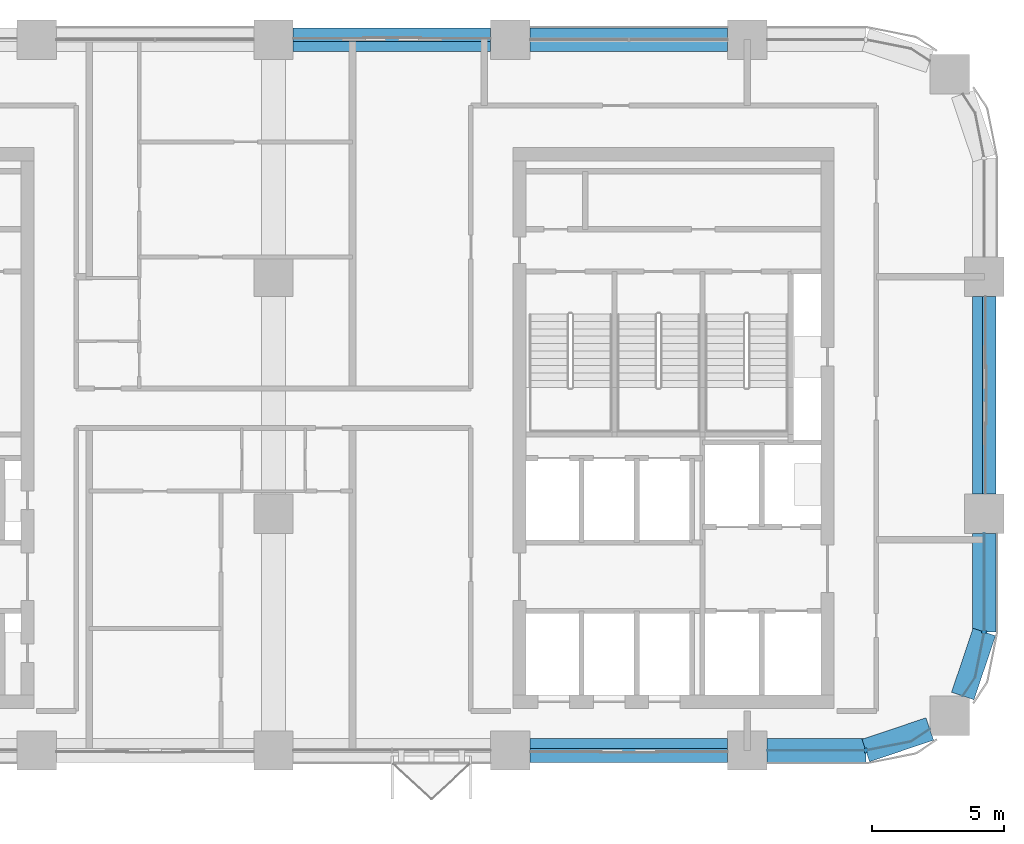
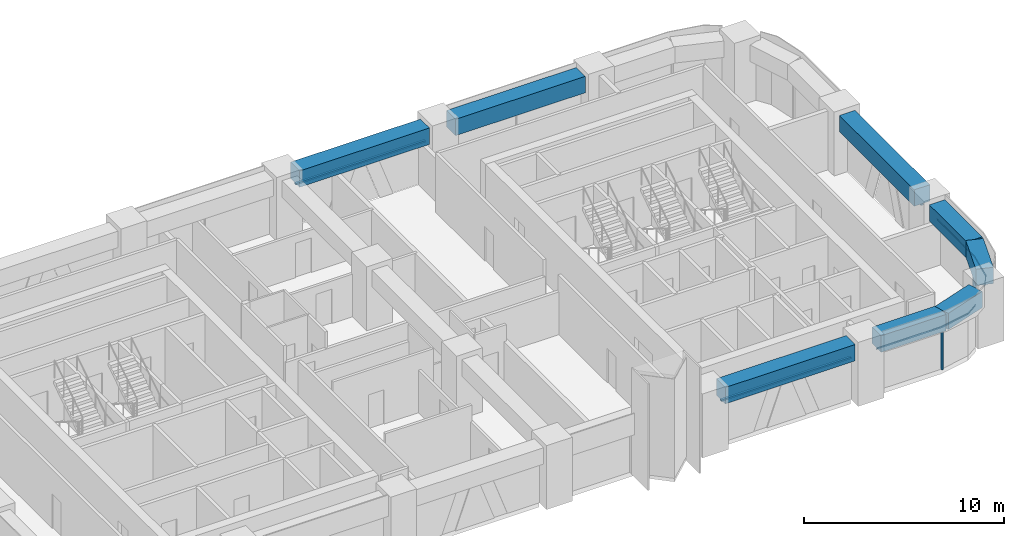
# One storey, part 5 of 14: 8 beams, 7 members, 5 elements without a shape of their own.
"""IFC4 building model written with IfcOpenShell, lengths in metres."""

from ifc_helpers import new_model, si_unit, direction, frame, origin, origin_2d, place, context, subcontext, project, spatial, polyline, rectangle, outline, extrude, material, material_profile, profile_set, type_object, element, aggregate, save


model = new_model("IFC4")

# Units and contexts
model_context = context("Model", 3, precision=1e-05, world=origin(), true_north=direction((0.0, 1.0)))
body_context = subcontext(model_context, "Body", "Model", "MODEL_VIEW")
ifc_project = project(units=[si_unit("LENGTHUNIT", "METRE"), si_unit("AREAUNIT", "SQUARE_METRE"), si_unit("VOLUMEUNIT", "CUBIC_METRE"), si_unit("PLANEANGLEUNIT", "RADIAN"), si_unit("MASSUNIT", "GRAM", prefix="KILO")], contexts=[model_context])

# Site, building, storey
site_placement = place(None, origin())
site = spatial("IfcSite", under=ifc_project, at=site_placement, CompositionType="ELEMENT")
building_placement = place(site_placement, origin())
building = spatial("IfcBuilding", under=site, at=building_placement, Name="Tessera Arch", CompositionType="ELEMENT")
storey_placement = place(building_placement, frame((0.0, 0.0, 134.89990234375)))
storey = spatial("IfcBuildingStorey", under=building, at=storey_placement, Name="L31", CompositionType="ELEMENT", Elevation=134.89990234375)

# Curtain wall, member
ifc_material_1 = material(Name="CW2 curtain wall")
curtain_wall_type_1 = type_object("IfcCurtainWallType", Name="CW2 curtain wall", PredefinedType="NOTDEFINED", material=ifc_material_1)
curtain_wall_1_placement = place(storey_placement, origin())
curtain_wall_1 = element("IfcCurtainWall", 1, at=curtain_wall_1_placement, inside=storey, type_object=curtain_wall_type_1, Name="CW2 curtain wall S27.0/5 L31", PredefinedType="NOTDEFINED")
ifc_material_2 = material(Name="Anodised aluminium pale metal", Category="aluminium")
ifc_material_profile_1 = material_profile(ifc_material_2, rectangle(XDim=0.199951171875, YDim=0.080078125, at=origin_2d()), Name="AL 80x200")
ifc_profile_set_1 = profile_set([ifc_material_profile_1], Name="Anodised aluminium pale metal")
member_type_1 = type_object("IfcMemberType", Name="CW2 mullion", PredefinedType="MULLION", material=ifc_profile_set_1)
member_1_placement = place(storey_placement, frame((49.5, 27.0, 0.0), z_axis=(0.0, 0.0, 1.0), x_axis=(0.0, 1.0, 0.0)))
member_1 = element("IfcMember", 2, at=member_1_placement, type_object=member_type_1, Name="CW2 mullion S27.0/5 1", PredefinedType="MULLION", context=body_context, shape_type="SweptSolid", body=[
    extrude(rectangle(XDim=0.199951171875, YDim=0.080078125, at=origin_2d()), origin(), (0.0, 0.0, 1.0), 2.5),
])

curtain_wall_2_placement = place(storey_placement, origin())
curtain_wall_2 = element("IfcCurtainWall", 3, at=curtain_wall_2_placement, inside=storey, type_object=curtain_wall_type_1, Name="CW2 curtain wall E54.27/2 L31", PredefinedType="NOTDEFINED")
member_2_placement = place(storey_placement, frame((54.0, 31.5, 0.0), z_axis=(0.0, 0.0, 1.0), x_axis=(-1.0, 0.0, 0.0)))
member_2 = element("IfcMember", 4, at=member_2_placement, type_object=member_type_1, Name="CW2 mullion E54.27/2 1", PredefinedType="MULLION", context=body_context, shape_type="SweptSolid", body=[
    extrude(rectangle(XDim=0.199951171875, YDim=0.080078125, at=origin_2d()), origin(), (0.0, 0.0, 1.0), 2.5),
])

# Member
ifc_material_3 = material(Name="Anodised aluminium pale metal", Category="aluminium")
ifc_material_profile_2 = material_profile(ifc_material_3, rectangle(XDim=0.199951171875, YDim=0.10009765625, at=origin_2d()), Name="AL 200x100")
ifc_profile_set_2 = profile_set([ifc_material_profile_2], Name="Anodised aluminium pale metal")
member_type_2 = type_object("IfcMemberType", Name="CW2 transom", PredefinedType="USERDEFINED", material=ifc_profile_set_2)
member_3_placement = place(storey_placement, frame((0.0, 0.0, 2.5)))
member_3 = element("IfcMember", 5, at=member_3_placement, type_object=member_type_2, Name="CW2 transom S27.0/5 1", ObjectType="TRANSOM", PredefinedType="USERDEFINED", context=body_context, shape_type="SweptSolid", body=[
    extrude(outline(polyline([(49.4990234375, 27.010009765625), (45.75, 27.010009765625), (45.75, 26.989990234375), (49.5009765625, 26.989990234375), (51.22607421875, 27.3330078125), (51.9375, 27.80859375), (51.926513671875, 27.8251953125), (51.21826171875, 27.351806640625), (49.4990234375, 27.010009765625)])), origin(), (0.0, 0.0, 1.0), 0.10009765625),
])

aggregate(curtain_wall_1, [member_1, member_3])

member_4_placement = place(storey_placement, frame((0.0, 0.0, 2.5)))
member_4 = element("IfcMember", 6, at=member_4_placement, type_object=member_type_2, Name="CW2 transom E54.27/2 1", ObjectType="TRANSOM", PredefinedType="USERDEFINED", context=body_context, shape_type="SweptSolid", body=[
    extrude(outline(polyline([(53.648193359375, 29.78173828125), (53.1748046875, 29.073486328125), (53.19140625, 29.0625), (53.6669921875, 29.77392578125), (54.010009765625, 31.4990234375), (54.010009765625, 35.25), (53.989990234375, 35.25), (53.989990234375, 31.5009765625), (53.648193359375, 29.78173828125)])), origin(), (0.0, 0.0, 1.0), 0.10009765625),
])

aggregate(curtain_wall_2, [member_2, member_4])

# Curtain wall, member
ifc_material_4 = material(Name="CW3 curtain wall")
curtain_wall_type_2 = type_object("IfcCurtainWallType", Name="CW3 curtain wall", PredefinedType="NOTDEFINED", material=ifc_material_4)
curtain_wall_3_placement = place(storey_placement, origin())
curtain_wall_3 = element("IfcCurtainWall", 7, at=curtain_wall_3_placement, inside=storey, type_object=curtain_wall_type_2, Name="CW3 curtain wall E54.27/0 L31", PredefinedType="NOTDEFINED")
ifc_material_5 = material(Name="Anodised aluminium pale metal", Category="aluminium")
ifc_material_profile_3 = material_profile(ifc_material_5, rectangle(XDim=0.139892578125, YDim=0.10009765625, at=origin_2d()), Name="AL 140x100")
ifc_profile_set_3 = profile_set([ifc_material_profile_3], Name="Anodised aluminium pale metal")
member_type_3 = type_object("IfcMemberType", Name="CW3 transom", PredefinedType="USERDEFINED", material=ifc_profile_set_3)
member_5_placement = place(storey_placement, frame((54.0, 36.75, 2.550048828125), z_axis=(0.0, 1.0, 0.0), x_axis=(-1.0, 0.0, 0.0)))
member_5 = element("IfcMember", 8, at=member_5_placement, type_object=member_type_3, Name="CW3 transom E54.27/0 1.1", ObjectType="TRANSOM", PredefinedType="USERDEFINED", context=body_context, shape_type="SweptSolid", body=[
    extrude(rectangle(XDim=0.139892578125, YDim=0.10009765625, at=origin_2d()), origin(), (0.0, 0.0, 1.0), 7.5),
])
aggregate(curtain_wall_3, [member_5])

curtain_wall_4_placement = place(storey_placement, origin())
curtain_wall_4 = element("IfcCurtainWall", 9, at=curtain_wall_4_placement, inside=storey, type_object=curtain_wall_type_2, Name="CW3 curtain wall N54.0/2 L31", PredefinedType="NOTDEFINED")
member_6_placement = place(storey_placement, frame((35.25, 54.0, 2.550048828125), z_axis=(-1.0, 0.0, 0.0), x_axis=(0.0, -1.0, 0.0)))
member_6 = element("IfcMember", 10, at=member_6_placement, type_object=member_type_3, Name="CW3 transom N54.0/2 1.1", ObjectType="TRANSOM", PredefinedType="USERDEFINED", context=body_context, shape_type="SweptSolid", body=[
    extrude(rectangle(XDim=0.139892578125, YDim=0.10009765625, at=origin_2d()), origin(), (0.0, 0.0, 1.0), 7.5),
])
aggregate(curtain_wall_4, [member_6])

curtain_wall_5_placement = place(storey_placement, origin())
curtain_wall_5 = element("IfcCurtainWall", 11, at=curtain_wall_5_placement, inside=storey, type_object=curtain_wall_type_2, Name="CW3 curtain wall S27.0/4 L31", PredefinedType="NOTDEFINED")
member_7_placement = place(storey_placement, frame((36.75, 27.0, 2.550048828125), z_axis=(1.0, 0.0, 0.0), x_axis=(0.0, 1.0, 0.0)))
member_7 = element("IfcMember", 12, at=member_7_placement, type_object=member_type_3, Name="CW3 transom S27.0/4 1.1", ObjectType="TRANSOM", PredefinedType="USERDEFINED", context=body_context, shape_type="SweptSolid", body=[
    extrude(rectangle(XDim=0.139892578125, YDim=0.10009765625, at=origin_2d()), origin(), (0.0, 0.0, 1.0), 7.5),
])
aggregate(curtain_wall_5, [member_7])

# Beams
ifc_material_6 = material(Name="Concrete C70/85", Category="concrete")
ifc_material_profile_4 = material_profile(ifc_material_6, rectangle(XDim=0.89990234375, YDim=1.0, at=origin_2d()), Name="RC spandrel beam 900 x 1000 Concrete C70/85")
ifc_profile_set_4 = profile_set([ifc_material_profile_4], Name="Concrete C70/85")
beam_type = type_object("IfcBeamType", Name="RC spandrel beam 900 x 1000 Concrete C70/85", PredefinedType="BEAM", material=ifc_profile_set_4)
for number, where, z_axis, x_axis, name in (
    (13, (54.0, 36.75, 3.10009765625), (0.0, 1.0, 0.0), (-1.0, 0.0, 0.0), "Spandrel beam L31 E54.27/0"),
    (14, (44.25, 54.0, 3.10009765625), (-1.0, 0.0, 0.0), (0.0, -1.0, 0.0), "Spandrel beam L31 N54.0/1"),
    (15, (35.25, 54.0, 3.10009765625), (-1.0, 0.0, 0.0), (0.0, -1.0, 0.0), "Spandrel beam L31 N54.0/2"),
    (16, (36.75, 27.0, 3.10009765625), (1.0, 0.0, 0.0), (0.0, 1.0, 0.0), "Spandrel beam L31 S27.0/4"),
):
    element("IfcBeam", number, at=place(storey_placement, frame(where, z_axis=z_axis, x_axis=x_axis)), inside=storey, type_object=beam_type, Name=name, PredefinedType="BEAM", context=body_context, shape_type="SweptSolid", body=[
        extrude(rectangle(XDim=0.89990234375, YDim=1.0, at=origin_2d()), origin(), (0.0, 0.0, 1.0), 7.5),
    ])
beam_1_placement = place(storey_placement, frame((45.75, 27.0, 3.10009765625), z_axis=(1.0, 0.0, 0.0), x_axis=(0.0, 1.0, 0.0)))
element("IfcBeam", 17, at=beam_1_placement, inside=storey, type_object=beam_type, Name="Spandrel beam L31 S27.0/5.1", PredefinedType="BEAM", context=body_context, shape_type="SweptSolid", body=[
    extrude(rectangle(XDim=0.89990234375, YDim=1.0, at=origin_2d()), origin(), (0.0, 0.0, 1.0), 3.75),
])
for number, where, z_axis, x_axis, name in (
    (18, (49.5, 27.0, 3.10009765625), (0.947947973234, 0.31842525032, 0.0), (-0.31842525032, 0.947947973234, 0.0), "Spandrel beam L31 S27.0/5.2"),
    (19, (53.18310546875, 29.068115234375, 3.10009765625), (0.31842525032, 0.947947973234, 0.0), (-0.947947973234, 0.31842525032, 0.0), "Spandrel beam L31 E54.27/2.1"),
):
    element("IfcBeam", number, at=place(storey_placement, frame(where, z_axis=z_axis, x_axis=x_axis)), inside=storey, type_object=beam_type, Name=name, PredefinedType="BEAM", context=body_context, shape_type="SweptSolid", body=[
        extrude(rectangle(XDim=0.89990234375, YDim=1.0, at=origin_2d()), origin(), (0.0, 0.0, 1.0), 2.5654296875),
    ])
beam_2_placement = place(storey_placement, frame((54.0, 31.5, 3.10009765625), z_axis=(0.0, 1.0, 0.0), x_axis=(-1.0, 0.0, 0.0)))
element("IfcBeam", 20, at=beam_2_placement, inside=storey, type_object=beam_type, Name="Spandrel beam L31 E54.27/2.2", PredefinedType="BEAM", context=body_context, shape_type="SweptSolid", body=[
    extrude(rectangle(XDim=0.89990234375, YDim=1.0, at=origin_2d()), origin(), (0.0, 0.0, 1.0), 3.75),
])

save(model, "model.ifc")
